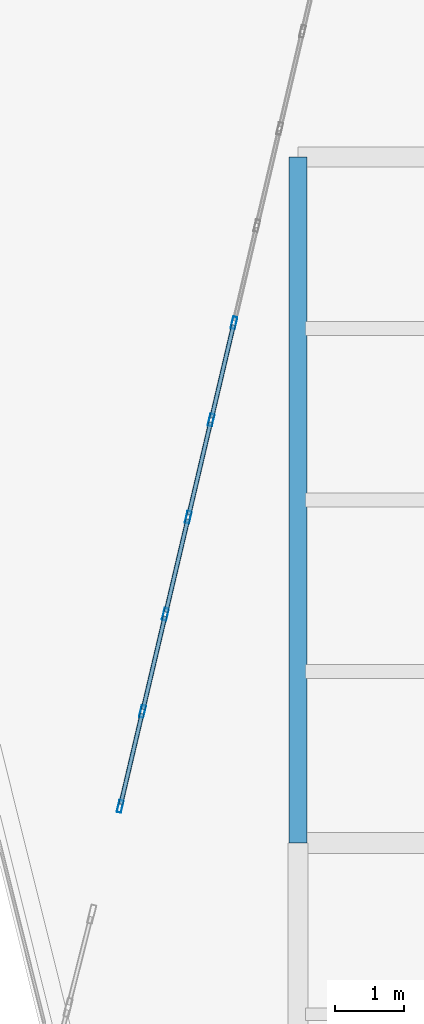
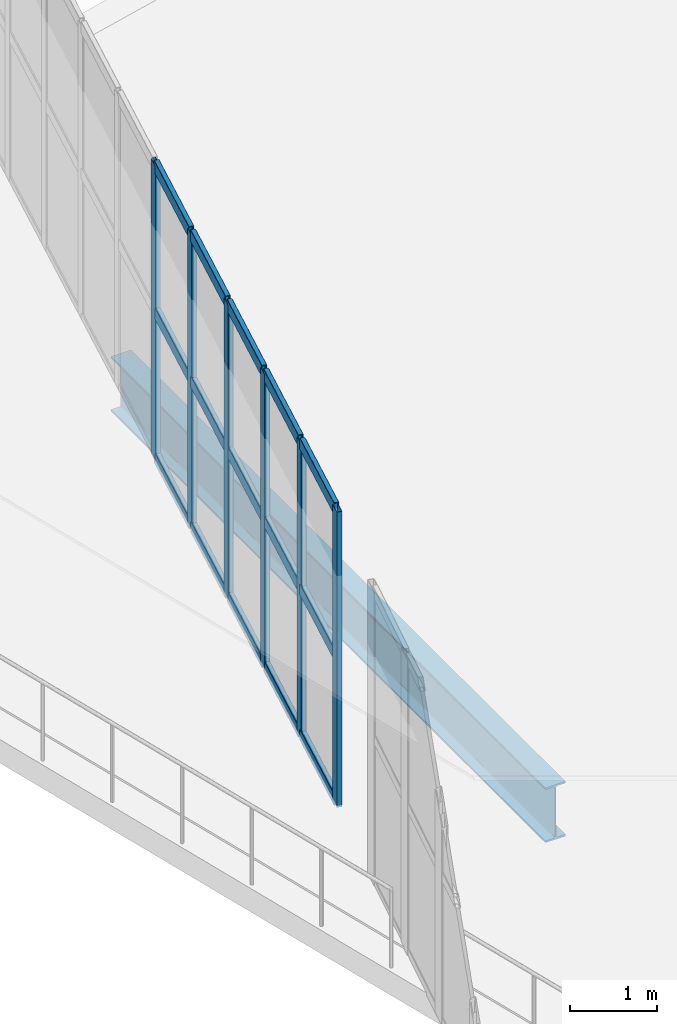
# One storey, part 35 of 108: 21 members, 1 beam, 1 element without a shape of its own.
"""IFC4 building model written with IfcOpenShell, lengths in metres."""

import ifcopenshell
import ifcopenshell.guid

model = None  # the IFC model being written
_history = None  # IfcOwnerHistory: only IFC2X3 demands one
_inside = {}  # id of a spatial element -> (the spatial element, [elements in it])
_under = {}  # id of a project, library or spatial element -> (it, [spatial elements below it])
_declared = {}  # id of a project -> (the project, [libraries it declares])
_typed = {}  # id of a type object -> (the type object, [elements of that type])
_made_of = {}  # id of a material, layer set ... -> (it, [elements and type objects made of it])


def new_model(schema):
    """Start an empty IFC model of exactly this schema.

    Asked for "IFC4X3", IfcOpenShell would pick the latest addendum, in which some entities
    have other attributes; the version numbers below select the first issue.
    IFC2X3 requires an IfcOwnerHistory on every rooted entity: one is made here for all.
    """
    global model, _history
    if schema == "IFC4X3":
        model = ifcopenshell.file(schema_version=(4, 3, 0, 0))
    else:
        model = ifcopenshell.file(schema=schema)
    _inside.clear()
    _under.clear()
    _declared.clear()
    _typed.clear()
    _made_of.clear()
    _history = None
    if model.schema == "IFC2X3":
        org = make("IfcOrganization", Name="unknown")
        user = make(
            "IfcPersonAndOrganization",
            ThePerson=make("IfcPerson", FamilyName="unknown"),
            TheOrganization=org,
        )
        app = make(
            "IfcApplication",
            ApplicationDeveloper=org,
            Version="unknown",
            ApplicationFullName="unknown",
            ApplicationIdentifier="unknown",
        )
        _history = make(
            "IfcOwnerHistory",
            OwningUser=user,
            OwningApplication=app,
            ChangeAction="ADDED",
            CreationDate=0,
        )
    return model


def make(cls, **values):
    """One entity of the class cls with the attributes given. An attribute that is None is left unset."""
    return model.create_entity(
        cls, **{name: value for name, value in values.items() if value is not None}
    )


def rooted(cls, **values):
    """An entity with a GlobalId (a new one), such as an element, a storey or a relation."""
    return make(cls, GlobalId=ifcopenshell.guid.new(), OwnerHistory=_history, **values)


def si_unit(unit_type, name, prefix=None):
    """IfcSIUnit, for example si_unit("LENGTHUNIT", "METRE", prefix="MILLI")."""
    return make("IfcSIUnit", UnitType=unit_type, Prefix=prefix, Name=name)


def assignment(units):
    """IfcUnitAssignment: the units of a project."""
    return None if units is None else make("IfcUnitAssignment", Units=units)


def point(xyz):
    """IfcCartesianPoint."""
    return None if xyz is None else make("IfcCartesianPoint", Coordinates=xyz)


def direction(xyz):
    """IfcDirection."""
    return None if xyz is None else make("IfcDirection", DirectionRatios=xyz)


def frame(location, z_axis=None, x_axis=None):
    """IfcAxis2Placement3D, a coordinate frame: its origin and axes. An axis left out is left unset."""
    return make(
        "IfcAxis2Placement3D",
        Location=point(location),
        Axis=direction(z_axis),
        RefDirection=direction(x_axis),
    )


def frame_2d(location, x_axis=None):
    """IfcAxis2Placement2D, a coordinate frame in the plane: its origin and x axis."""
    return make(
        "IfcAxis2Placement2D", Location=point(location), RefDirection=direction(x_axis)
    )


def origin():
    """The frame at (0, 0, 0) with its axes left unset."""
    return frame((0.0, 0.0, 0.0))


def origin_2d():
    """The frame at (0, 0) in the plane with its x axis left unset."""
    return frame_2d((0.0, 0.0))


def place(relative_to, where):
    """IfcLocalPlacement: puts the frame where relative to a parent placement (None: the world)."""
    return make(
        "IfcLocalPlacement", PlacementRelTo=relative_to, RelativePlacement=where
    )


def context(
    kind, dimensions, precision=None, world=None, true_north=None, identifier=None
):
    """IfcGeometricRepresentationContext, for example the 3D "Model" context."""
    return make(
        "IfcGeometricRepresentationContext",
        ContextIdentifier=identifier,
        ContextType=kind,
        CoordinateSpaceDimension=dimensions,
        Precision=precision,
        WorldCoordinateSystem=world,
        TrueNorth=true_north,
    )


def subcontext(parent, identifier, kind, view, scale=None):
    """IfcGeometricRepresentationSubContext, for example "Body" below "Model"."""
    return make(
        "IfcGeometricRepresentationSubContext",
        ContextIdentifier=identifier,
        ContextType=kind,
        ParentContext=parent,
        TargetScale=scale,
        TargetView=view,
    )


def project(units=None, contexts=None):
    """IfcProject with its units and contexts."""
    return rooted(
        "IfcProject",
        Name="project",
        RepresentationContexts=contexts,
        UnitsInContext=assignment(units),
    )


def spatial(cls, under=None, at=None, **own):
    """A site, building, storey or space (cls), placed at a placement, below another one or the project."""
    s = rooted(cls, ObjectPlacement=at, **own)
    if under is not None:
        _under.setdefault(under.id(), (under, []))[1].append(s)
    return s


def profile(cls, at=None, kind="AREA", **sizes):
    """A parametric profile (cls). Its sizes go by their IFC names, for example OverallWidth=200.0."""
    return make(cls, ProfileType=kind, Position=at, **sizes)


def hollow_rectangle(**sizes):
    """IfcRectangleHollowProfileDef."""
    return profile("IfcRectangleHollowProfileDef", **sizes)


def i_section(**sizes):
    """IfcIShapeProfileDef."""
    return profile("IfcIShapeProfileDef", **sizes)


def extrude(swept, where, along, depth):
    """IfcExtrudedAreaSolid: the profile swept, set in the frame where, extruded along a direction by depth."""
    return make(
        "IfcExtrudedAreaSolid",
        SweptArea=swept,
        Position=where,
        ExtrudedDirection=direction(along),
        Depth=depth,
    )


def shape(context_of_items, identifier, shape_type, items):
    """IfcShapeRepresentation: the items that make up one representation, for example the "Body"."""
    return make(
        "IfcShapeRepresentation",
        ContextOfItems=context_of_items,
        RepresentationIdentifier=identifier,
        RepresentationType=shape_type,
        Items=items,
    )


def material(Name=None, Category=None):
    """IfcMaterial."""
    return make("IfcMaterial", Name=Name, Category=Category)


def layer(
    of_material, thickness, ventilated=None, Name=None, Category=None, Priority=None
):
    """IfcMaterialLayer: one layer of a wall or slab, of a material (None: an air gap)."""
    return make(
        "IfcMaterialLayer",
        Material=of_material,
        LayerThickness=thickness,
        IsVentilated=ventilated,
        Name=Name,
        Category=Category,
        Priority=Priority,
    )


def layer_set(layers, Name=None):
    """IfcMaterialLayerSet."""
    return make("IfcMaterialLayerSet", MaterialLayers=layers, LayerSetName=Name)


def material_profile(
    of_material, cross_section, Name=None, Category=None, Priority=None
):
    """IfcMaterialProfile: a cross section and its material."""
    return make(
        "IfcMaterialProfile",
        Name=Name,
        Material=of_material,
        Profile=cross_section,
        Priority=Priority,
        Category=Category,
    )


def profile_set(profiles, Name=None, composite=None):
    """IfcMaterialProfileSet."""
    return make(
        "IfcMaterialProfileSet",
        Name=Name,
        MaterialProfiles=profiles,
        CompositeProfile=composite,
    )


def made_of(thing, what):
    """Note that an element or type object is made of a material, layer set ...; save() writes the relation."""
    if what is not None:
        _made_of.setdefault(what.id(), (what, []))[1].append(thing)
    return thing


def type_object(cls, material=None, **own):
    """A type object (cls), such as IfcWallType, which elements share."""
    return made_of(rooted(cls, **own), material)


def element(
    cls,
    number,
    at=None,
    inside=None,
    cuts=None,
    type_object=None,
    material=None,
    context=None,
    identifier="Body",
    shape_type=None,
    held_by="IfcProductDefinitionShape",
    body=None,
    shapes=None,
    **own,
):
    """One element of the class cls, such as IfcWall. Its Tag is "e" and its number.

    at: its placement. inside: the storey or other place that contains it. cuts: it is an
    opening in that element (IfcRelVoidsElement). A single representation is given by context,
    identifier, shape_type and body (its items); several are given by shapes. held_by: the class
    of the entity that holds the representations. save() writes the other relations.
    """
    e = rooted(cls, Tag="e%d" % number, ObjectPlacement=at, **own)
    if body is not None:
        shapes = [shape(context, identifier, shape_type, body)]
    if shapes is not None:
        e.Representation = make(held_by, Representations=shapes)
    if inside is not None:
        _inside.setdefault(inside.id(), (inside, []))[1].append(e)
    if cuts is not None:
        rooted(
            "IfcRelVoidsElement", RelatingBuildingElement=cuts, RelatedOpeningElement=e
        )
    if type_object is not None:
        _typed.setdefault(type_object.id(), (type_object, []))[1].append(e)
    return made_of(e, material)


def aggregate(whole, parts):
    """IfcRelAggregates: a whole, such as a stair, and the parts it consists of."""
    return rooted("IfcRelAggregates", RelatingObject=whole, RelatedObjects=parts)


def save(model, path):
    """Write the relations noted so far, then the file.

    IfcRelAggregates (storeys below a building ...), IfcRelContainedInSpatialStructure (elements
    in a storey), IfcRelDefinesByType, IfcRelAssociatesMaterial and IfcRelDeclares: one each for
    every whole, place, type object, material and project.
    """
    for whole, parts in _under.values():
        aggregate(whole, parts)
    for where, things in _inside.values():
        rooted(
            "IfcRelContainedInSpatialStructure",
            RelatedElements=things,
            RelatingStructure=where,
        )
    for kind, things in _typed.values():
        rooted("IfcRelDefinesByType", RelatedObjects=things, RelatingType=kind)
    for what, things in _made_of.values():
        rooted("IfcRelAssociatesMaterial", RelatedObjects=things, RelatingMaterial=what)
    for by, libraries in _declared.values():
        rooted("IfcRelDeclares", RelatingContext=by, RelatedDefinitions=libraries)
    model.write(path)


model = new_model("IFC4")

# Units and contexts
model_context = context("Model", 3, precision=1e-05, world=origin(), true_north=direction((0.0, 1.0)))
body_context = subcontext(model_context, "Body", "Model", "MODEL_VIEW")
ifc_project = project(units=[si_unit("LENGTHUNIT", "METRE"), si_unit("AREAUNIT", "SQUARE_METRE"), si_unit("VOLUMEUNIT", "CUBIC_METRE"), si_unit("PLANEANGLEUNIT", "RADIAN"), si_unit("MASSUNIT", "GRAM", prefix="KILO")], contexts=[model_context])

# Site, building, storey
site_placement = place(None, origin())
site = spatial("IfcSite", under=ifc_project, at=site_placement, CompositionType="ELEMENT")
building_placement = place(site_placement, origin())
building = spatial("IfcBuilding", under=site, at=building_placement, Name="Brinegate Civic Arena", CompositionType="ELEMENT")
storey_placement = place(building_placement, frame((0.0, 0.0, 10.199951171875)))
storey = spatial("IfcBuildingStorey", under=building, at=storey_placement, Name="L02", CompositionType="ELEMENT", Elevation=10.199951171875)

# Curtain wall, members
ifc_material_1 = material(Name="Marine grade aluminium", Category="aluminium")
ifc_layer = layer(ifc_material_1, 0.215087890625, Name="Marine grade aluminium")
ifc_layer_set = layer_set([ifc_layer], Name="Marine grade aluminium")
curtain_wall_type = type_object("IfcCurtainWallType", Name="CW-FOYER-GLAZED-02", PredefinedType="USERDEFINED", material=ifc_layer_set)
curtain_wall_placement = place(storey_placement, origin())
curtain_wall = element("IfcCurtainWall", 1, at=curtain_wall_placement, inside=storey, type_object=curtain_wall_type, Name="Curtain Wall CWA-004", ObjectType="GLAZED CURTAIN WALL", PredefinedType="USERDEFINED")
ifc_material_profile_1 = material_profile(ifc_material_1, hollow_rectangle(XDim=0.06494140625, YDim=0.179931640625, WallThickness=0.0048828125, InnerFilletRadius=0.00390625, OuterFilletRadius=0.008056640625, at=origin_2d()), Name="MUL65X180")
ifc_profile_set_1 = profile_set([ifc_material_profile_1], Name="Marine grade aluminium")
member_type_1 = type_object("IfcMemberType", Name="CW-MULLION-65X180", PredefinedType="MULLION", material=ifc_profile_set_1)
member_1_placement = place(storey_placement, frame((33.407470703125, 72.53173828125, 0.0), z_axis=(0.0, 0.0, 1.0), x_axis=(-0.973417168334, 0.229039333722, 0.0)))
member_1 = element("IfcMember", 2, at=member_1_placement, type_object=member_type_1, Name="CWA-004 mullion 1", PredefinedType="MULLION", context=body_context, shape_type="SweptSolid", body=[
    extrude(hollow_rectangle(XDim=0.06494140625, YDim=0.179931640625, WallThickness=0.0048828125, InnerFilletRadius=0.00390625, OuterFilletRadius=0.008056640625, at=origin_2d()), origin(), (0.0, 0.0, 1.0), 4.150146484375),
])
member_2_placement = place(storey_placement, frame((33.7333984375, 73.916748046875, 0.0), z_axis=(0.0, 0.0, 1.0), x_axis=(-0.973417168334, 0.229039333722, 0.0)))
member_2 = element("IfcMember", 3, at=member_2_placement, type_object=member_type_1, Name="CWA-004 mullion 2", PredefinedType="MULLION", context=body_context, shape_type="SweptSolid", body=[
    extrude(hollow_rectangle(XDim=0.06494140625, YDim=0.179931640625, WallThickness=0.0048828125, InnerFilletRadius=0.00390625, OuterFilletRadius=0.008056640625, at=origin_2d()), origin(), (0.0, 0.0, 1.0), 4.150146484375),
])
member_3_placement = place(storey_placement, frame((34.066650390625, 75.333251953125, 0.0), z_axis=(0.0, 0.0, 1.0), x_axis=(-0.973417168334, 0.229039333722, 0.0)))
member_3 = element("IfcMember", 4, at=member_3_placement, type_object=member_type_1, Name="CWA-004 mullion 3", PredefinedType="MULLION", context=body_context, shape_type="SweptSolid", body=[
    extrude(hollow_rectangle(XDim=0.06494140625, YDim=0.179931640625, WallThickness=0.0048828125, InnerFilletRadius=0.00390625, OuterFilletRadius=0.008056640625, at=origin_2d()), origin(), (0.0, 0.0, 1.0), 4.150146484375),
])
member_4_placement = place(storey_placement, frame((34.39990234375, 76.75, 0.0), z_axis=(0.0, 0.0, 1.0), x_axis=(-0.973417168334, 0.229039333722, 0.0)))
member_4 = element("IfcMember", 5, at=member_4_placement, type_object=member_type_1, Name="CWA-004 mullion 4", PredefinedType="MULLION", context=body_context, shape_type="SweptSolid", body=[
    extrude(hollow_rectangle(XDim=0.06494140625, YDim=0.179931640625, WallThickness=0.0048828125, InnerFilletRadius=0.00390625, OuterFilletRadius=0.008056640625, at=origin_2d()), origin(), (0.0, 0.0, 1.0), 4.150146484375),
])
member_5_placement = place(storey_placement, frame((34.7333984375, 78.166748046875, 0.0), z_axis=(0.0, 0.0, 1.0), x_axis=(-0.973417168334, 0.229039333722, 0.0)))
member_5 = element("IfcMember", 6, at=member_5_placement, type_object=member_type_1, Name="CWA-004 mullion 5", PredefinedType="MULLION", context=body_context, shape_type="SweptSolid", body=[
    extrude(hollow_rectangle(XDim=0.06494140625, YDim=0.179931640625, WallThickness=0.0048828125, InnerFilletRadius=0.00390625, OuterFilletRadius=0.008056640625, at=origin_2d()), origin(), (0.0, 0.0, 1.0), 4.150146484375),
])
member_6_placement = place(storey_placement, frame((35.066650390625, 79.583251953125, 0.0), z_axis=(0.0, 0.0, 1.0), x_axis=(-0.973417168334, 0.229039333722, 0.0)))
member_6 = element("IfcMember", 7, at=member_6_placement, type_object=member_type_1, Name="CWA-004 mullion 6", PredefinedType="MULLION", context=body_context, shape_type="SweptSolid", body=[
    extrude(hollow_rectangle(XDim=0.06494140625, YDim=0.179931640625, WallThickness=0.0048828125, InnerFilletRadius=0.00390625, OuterFilletRadius=0.008056640625, at=origin_2d()), origin(), (0.0, 0.0, 1.0), 4.150146484375),
])
ifc_material_profile_2 = material_profile(ifc_material_1, hollow_rectangle(XDim=0.06494140625, YDim=0.1650390625, WallThickness=0.0048828125, InnerFilletRadius=0.00390625, OuterFilletRadius=0.008056640625, at=origin_2d()), Name="TRN65X165")
ifc_profile_set_2 = profile_set([ifc_material_profile_2], Name="Marine grade aluminium")
member_type_2 = type_object("IfcMemberType", Name="CW-TRANSOM-65X165", PredefinedType="USERDEFINED", material=ifc_profile_set_2)
member_7_placement = place(storey_placement, frame((33.414794921875, 72.563232421875, 0.032470703125), z_axis=(0.229059376446, 0.973412452182, 0.0), x_axis=(-0.973412452182, 0.229059376446, 0.0)))
member_7 = element("IfcMember", 8, at=member_7_placement, type_object=member_type_2, Name="CWA-004 transom 1.1", ObjectType="TRANSOM", PredefinedType="USERDEFINED", context=body_context, shape_type="SweptSolid", body=[
    extrude(hollow_rectangle(XDim=0.06494140625, YDim=0.1650390625, WallThickness=0.0048828125, InnerFilletRadius=0.00390625, OuterFilletRadius=0.008056640625, at=origin_2d()), origin(), (0.0, 0.0, 1.0), 1.35791015625),
])
member_8_placement = place(storey_placement, frame((33.414794921875, 72.563232421875, 2.074951171875), z_axis=(0.229059376446, 0.973412452182, 0.0), x_axis=(-0.973412452182, 0.229059376446, 0.0)))
member_8 = element("IfcMember", 9, at=member_8_placement, type_object=member_type_2, Name="CWA-004 transom 1.2", ObjectType="TRANSOM", PredefinedType="USERDEFINED", context=body_context, shape_type="SweptSolid", body=[
    extrude(hollow_rectangle(XDim=0.06494140625, YDim=0.1650390625, WallThickness=0.0048828125, InnerFilletRadius=0.00390625, OuterFilletRadius=0.008056640625, at=origin_2d()), origin(), (0.0, 0.0, 1.0), 1.35791015625),
])
member_9_placement = place(storey_placement, frame((33.414794921875, 72.563232421875, 4.117431640625), z_axis=(0.229059376446, 0.973412452182, 0.0), x_axis=(-0.973412452182, 0.229059376446, 0.0)))
member_9 = element("IfcMember", 10, at=member_9_placement, type_object=member_type_2, Name="CWA-004 transom 1.3", ObjectType="TRANSOM", PredefinedType="USERDEFINED", context=body_context, shape_type="SweptSolid", body=[
    extrude(hollow_rectangle(XDim=0.06494140625, YDim=0.1650390625, WallThickness=0.0048828125, InnerFilletRadius=0.00390625, OuterFilletRadius=0.008056640625, at=origin_2d()), origin(), (0.0, 0.0, 1.0), 1.35791015625),
])
member_10_placement = place(storey_placement, frame((33.74072265625, 73.9482421875, 0.032470703125), z_axis=(0.229127408898, 0.973396440558, 0.0), x_axis=(-0.973396440558, 0.229127408898, 0.0)))
member_10 = element("IfcMember", 11, at=member_10_placement, type_object=member_type_2, Name="CWA-004 transom 2.1", ObjectType="TRANSOM", PredefinedType="USERDEFINED", context=body_context, shape_type="SweptSolid", body=[
    extrude(hollow_rectangle(XDim=0.06494140625, YDim=0.1650390625, WallThickness=0.0048828125, InnerFilletRadius=0.00390625, OuterFilletRadius=0.008056640625, at=origin_2d()), origin(), (0.0, 0.0, 1.0), 1.390625),
])
member_11_placement = place(storey_placement, frame((33.74072265625, 73.9482421875, 2.074951171875), z_axis=(0.229127408898, 0.973396440558, 0.0), x_axis=(-0.973396440558, 0.229127408898, 0.0)))
member_11 = element("IfcMember", 12, at=member_11_placement, type_object=member_type_2, Name="CWA-004 transom 2.2", ObjectType="TRANSOM", PredefinedType="USERDEFINED", context=body_context, shape_type="SweptSolid", body=[
    extrude(hollow_rectangle(XDim=0.06494140625, YDim=0.1650390625, WallThickness=0.0048828125, InnerFilletRadius=0.00390625, OuterFilletRadius=0.008056640625, at=origin_2d()), origin(), (0.0, 0.0, 1.0), 1.390625),
])
member_12_placement = place(storey_placement, frame((33.74072265625, 73.9482421875, 4.117431640625), z_axis=(0.229127408898, 0.973396440558, 0.0), x_axis=(-0.973396440558, 0.229127408898, 0.0)))
member_12 = element("IfcMember", 13, at=member_12_placement, type_object=member_type_2, Name="CWA-004 transom 2.3", ObjectType="TRANSOM", PredefinedType="USERDEFINED", context=body_context, shape_type="SweptSolid", body=[
    extrude(hollow_rectangle(XDim=0.06494140625, YDim=0.1650390625, WallThickness=0.0048828125, InnerFilletRadius=0.00390625, OuterFilletRadius=0.008056640625, at=origin_2d()), origin(), (0.0, 0.0, 1.0), 1.390625),
])
member_13_placement = place(storey_placement, frame((34.07421875, 75.364990234375, 0.032470703125), z_axis=(0.229000180336, 0.973426380065, 0.0), x_axis=(-0.973426380065, 0.229000180336, 0.0)))
member_13 = element("IfcMember", 14, at=member_13_placement, type_object=member_type_2, Name="CWA-004 transom 3.1", ObjectType="TRANSOM", PredefinedType="USERDEFINED", context=body_context, shape_type="SweptSolid", body=[
    extrude(hollow_rectangle(XDim=0.06494140625, YDim=0.1650390625, WallThickness=0.0048828125, InnerFilletRadius=0.00390625, OuterFilletRadius=0.008056640625, at=origin_2d()), origin(), (0.0, 0.0, 1.0), 1.39013671875),
])
member_14_placement = place(storey_placement, frame((34.07421875, 75.364990234375, 2.074951171875), z_axis=(0.229000180336, 0.973426380065, 0.0), x_axis=(-0.973426380065, 0.229000180336, 0.0)))
member_14 = element("IfcMember", 15, at=member_14_placement, type_object=member_type_2, Name="CWA-004 transom 3.2", ObjectType="TRANSOM", PredefinedType="USERDEFINED", context=body_context, shape_type="SweptSolid", body=[
    extrude(hollow_rectangle(XDim=0.06494140625, YDim=0.1650390625, WallThickness=0.0048828125, InnerFilletRadius=0.00390625, OuterFilletRadius=0.008056640625, at=origin_2d()), origin(), (0.0, 0.0, 1.0), 1.39013671875),
])
member_15_placement = place(storey_placement, frame((34.07421875, 75.364990234375, 4.117431640625), z_axis=(0.229000180336, 0.973426380065, 0.0), x_axis=(-0.973426380065, 0.229000180336, 0.0)))
member_15 = element("IfcMember", 16, at=member_15_placement, type_object=member_type_2, Name="CWA-004 transom 3.3", ObjectType="TRANSOM", PredefinedType="USERDEFINED", context=body_context, shape_type="SweptSolid", body=[
    extrude(hollow_rectangle(XDim=0.06494140625, YDim=0.1650390625, WallThickness=0.0048828125, InnerFilletRadius=0.00390625, OuterFilletRadius=0.008056640625, at=origin_2d()), origin(), (0.0, 0.0, 1.0), 1.39013671875),
])
member_16_placement = place(storey_placement, frame((34.407470703125, 76.78173828125, 0.032470703125), z_axis=(0.229000180336, 0.973426380065, 0.0), x_axis=(-0.973426380065, 0.229000180336, 0.0)))
member_16 = element("IfcMember", 17, at=member_16_placement, type_object=member_type_2, Name="CWA-004 transom 4.1", ObjectType="TRANSOM", PredefinedType="USERDEFINED", context=body_context, shape_type="SweptSolid", body=[
    extrude(hollow_rectangle(XDim=0.06494140625, YDim=0.1650390625, WallThickness=0.0048828125, InnerFilletRadius=0.00390625, OuterFilletRadius=0.008056640625, at=origin_2d()), origin(), (0.0, 0.0, 1.0), 1.39013671875),
])
member_17_placement = place(storey_placement, frame((34.407470703125, 76.78173828125, 2.074951171875), z_axis=(0.229000180336, 0.973426380065, 0.0), x_axis=(-0.973426380065, 0.229000180336, 0.0)))
member_17 = element("IfcMember", 18, at=member_17_placement, type_object=member_type_2, Name="CWA-004 transom 4.2", ObjectType="TRANSOM", PredefinedType="USERDEFINED", context=body_context, shape_type="SweptSolid", body=[
    extrude(hollow_rectangle(XDim=0.06494140625, YDim=0.1650390625, WallThickness=0.0048828125, InnerFilletRadius=0.00390625, OuterFilletRadius=0.008056640625, at=origin_2d()), origin(), (0.0, 0.0, 1.0), 1.39013671875),
])
member_18_placement = place(storey_placement, frame((34.407470703125, 76.78173828125, 4.117431640625), z_axis=(0.229000180336, 0.973426380065, 0.0), x_axis=(-0.973426380065, 0.229000180336, 0.0)))
member_18 = element("IfcMember", 19, at=member_18_placement, type_object=member_type_2, Name="CWA-004 transom 4.3", ObjectType="TRANSOM", PredefinedType="USERDEFINED", context=body_context, shape_type="SweptSolid", body=[
    extrude(hollow_rectangle(XDim=0.06494140625, YDim=0.1650390625, WallThickness=0.0048828125, InnerFilletRadius=0.00390625, OuterFilletRadius=0.008056640625, at=origin_2d()), origin(), (0.0, 0.0, 1.0), 1.39013671875),
])
member_19_placement = place(storey_placement, frame((34.74072265625, 78.1982421875, 0.032470703125), z_axis=(0.229127408898, 0.973396440558, 0.0), x_axis=(-0.973396440558, 0.229127408898, 0.0)))
member_19 = element("IfcMember", 20, at=member_19_placement, type_object=member_type_2, Name="CWA-004 transom 5.1", ObjectType="TRANSOM", PredefinedType="USERDEFINED", context=body_context, shape_type="SweptSolid", body=[
    extrude(hollow_rectangle(XDim=0.06494140625, YDim=0.1650390625, WallThickness=0.0048828125, InnerFilletRadius=0.00390625, OuterFilletRadius=0.008056640625, at=origin_2d()), origin(), (0.0, 0.0, 1.0), 1.390625),
])
member_20_placement = place(storey_placement, frame((34.74072265625, 78.1982421875, 2.074951171875), z_axis=(0.229127408898, 0.973396440558, 0.0), x_axis=(-0.973396440558, 0.229127408898, 0.0)))
member_20 = element("IfcMember", 21, at=member_20_placement, type_object=member_type_2, Name="CWA-004 transom 5.2", ObjectType="TRANSOM", PredefinedType="USERDEFINED", context=body_context, shape_type="SweptSolid", body=[
    extrude(hollow_rectangle(XDim=0.06494140625, YDim=0.1650390625, WallThickness=0.0048828125, InnerFilletRadius=0.00390625, OuterFilletRadius=0.008056640625, at=origin_2d()), origin(), (0.0, 0.0, 1.0), 1.390625),
])
member_21_placement = place(storey_placement, frame((34.74072265625, 78.1982421875, 4.117431640625), z_axis=(0.229127408898, 0.973396440558, 0.0), x_axis=(-0.973396440558, 0.229127408898, 0.0)))
member_21 = element("IfcMember", 22, at=member_21_placement, type_object=member_type_2, Name="CWA-004 transom 5.3", ObjectType="TRANSOM", PredefinedType="USERDEFINED", context=body_context, shape_type="SweptSolid", body=[
    extrude(hollow_rectangle(XDim=0.06494140625, YDim=0.1650390625, WallThickness=0.0048828125, InnerFilletRadius=0.00390625, OuterFilletRadius=0.008056640625, at=origin_2d()), origin(), (0.0, 0.0, 1.0), 1.390625),
])
aggregate(curtain_wall, [member_1, member_2, member_3, member_4, member_5, member_6, member_7, member_8, member_9, member_10, member_11, member_12, member_13, member_14, member_15, member_16, member_17, member_18, member_19, member_20, member_21])

# Beam
ifc_material_2 = material(Name="Steel S355", Category="steel")
ifc_material_profile_3 = material_profile(ifc_material_2, i_section(OverallWidth=0.26806640625, OverallDepth=0.77001953125, WebThickness=0.01611328125, FlangeThickness=0.02490234375, FilletRadius=0.02001953125, at=origin_2d()), Name="W760X196")
ifc_profile_set_3 = profile_set([ifc_material_profile_3], Name="Steel S355")
beam_type = type_object("IfcBeamType", Name="GIRDER-W760X196", PredefinedType="BEAM", material=ifc_profile_set_3)
beam_placement = place(storey_placement, frame((36.0, 72.0, -0.71484375), z_axis=(0.0, 1.0, 0.0), x_axis=(-1.0, 0.0, 0.0)))
element("IfcBeam", 23, at=beam_placement, inside=storey, type_object=beam_type, Name="Floor Girder BM-L02-GY-03-07", PredefinedType="BEAM", context=body_context, shape_type="SweptSolid", body=[
    extrude(i_section(OverallWidth=0.26806640625, OverallDepth=0.77001953125, WebThickness=0.01611328125, FlangeThickness=0.02490234375, FilletRadius=0.02001953125, at=origin_2d()), origin(), (0.0, 0.0, 1.0), 10.0),
])

save(model, "model.ifc")
